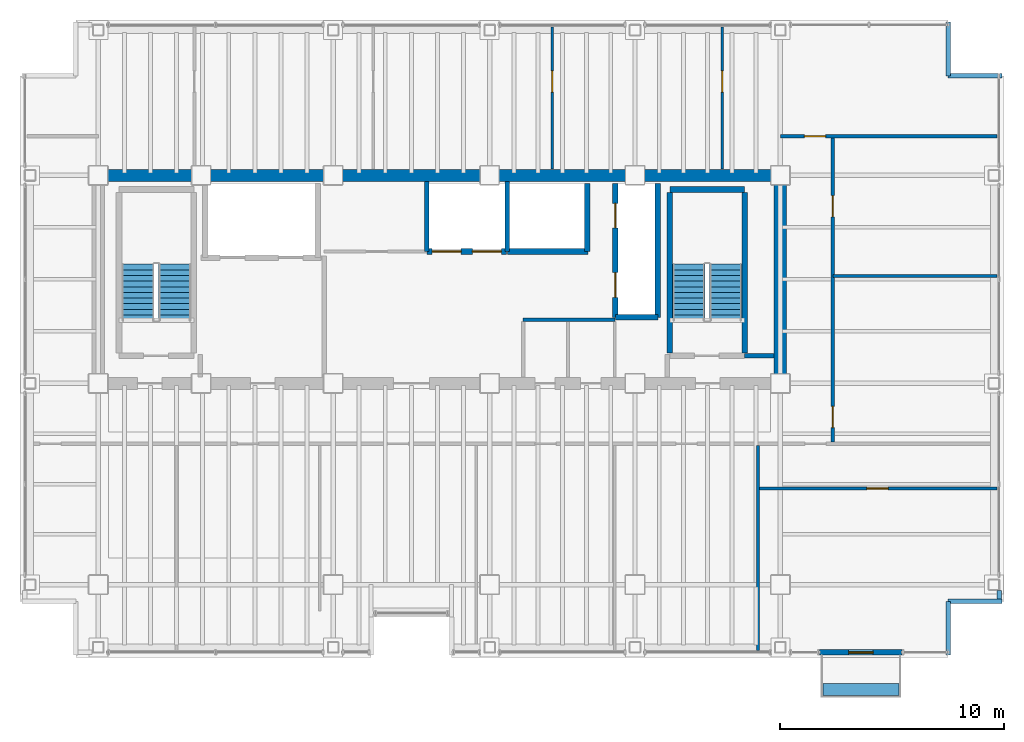
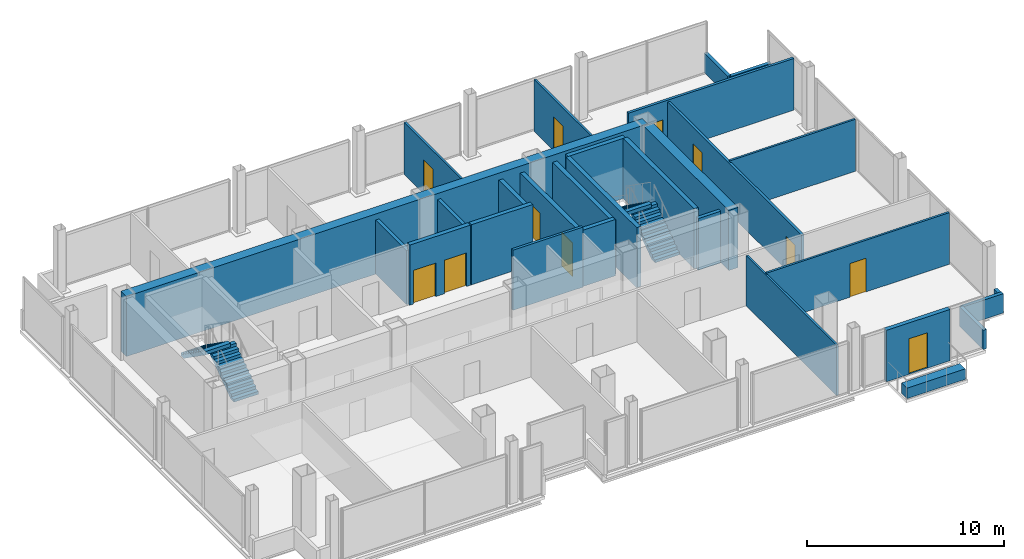
# One storey, part 14 of 16: 28 walls, 11 doors, 4 stair flights, 1 discrete accessory, 11 openings, 2 elements without a shape of their own.
"""IFC4 building model written with IfcOpenShell, lengths in metres."""

from ifc_helpers import new_model, si_unit, direction, frame, frame_2d, origin, origin_2d, place, context, subcontext, project, spatial, polyline, rectangle, outline, extrude, material, layer, layer_set, type_object, element, fill, aggregate, save


model = new_model("IFC4")

# Units and contexts
model_context = context("Model", 3, precision=1e-05, world=origin(), true_north=direction((0.0, 1.0)))
body_context = subcontext(model_context, "Body", "Model", "MODEL_VIEW")
ifc_project = project(units=[si_unit("LENGTHUNIT", "METRE"), si_unit("AREAUNIT", "SQUARE_METRE"), si_unit("VOLUMEUNIT", "CUBIC_METRE"), si_unit("PLANEANGLEUNIT", "RADIAN"), si_unit("MASSUNIT", "GRAM", prefix="KILO")], contexts=[model_context])

# Site, building, storey
site_placement = place(None, origin())
site = spatial("IfcSite", under=ifc_project, at=site_placement, CompositionType="ELEMENT")
building_placement = place(site_placement, origin())
building = spatial("IfcBuilding", under=site, at=building_placement, Name="Noeulbin Bourse Tower", CompositionType="ELEMENT")
storey_placement = place(building_placement, frame((0.0, 0.0, 177.300048828125)))
storey = spatial("IfcBuildingStorey", under=building, at=storey_placement, Name="L44", CompositionType="ELEMENT", Elevation=177.300048828125)

# Walls
ifc_material_1 = material(Name="Concrete C60/75", Category="concrete")
ifc_layer_1 = layer(ifc_material_1, 0.550048828125)
ifc_layer_set_1 = layer_set([ifc_layer_1], Name="Concrete C60/75")
wall_type_1 = type_object("IfcWallType", Name="WAL-CORE-550", PredefinedType="SHEAR", material=ifc_layer_set_1)
wall_1_placement = place(storey_placement, frame((13.5, 38.300048828125, 0.0), z_axis=(0.0, 0.0, 1.0), x_axis=(1.0, 0.0, 0.0)))
element("IfcWall", 1, at=wall_1_placement, inside=storey, type_object=wall_type_1, Name="Rear Core North Shear Wall L44", PredefinedType="SHEAR", context=body_context, shape_type="SweptSolid", body=[
    extrude(rectangle(XDim=30.5, YDim=0.550048828125, at=frame_2d((15.25, 0.0))), origin(), (0.0, 0.0, 1.0), 3.719970703125),
])
wall_2_placement = place(storey_placement, frame((44.0, 29.35009765625, 0.0), z_axis=(0.0, 0.0, 1.0), x_axis=(0.0, 1.0, 0.0)))
element("IfcWall", 2, at=wall_2_placement, inside=storey, type_object=wall_type_1, Name="Rear Core East Shear Wall L44", PredefinedType="SHEAR", context=body_context, shape_type="SweptSolid", body=[
    extrude(rectangle(XDim=8.599853515625, YDim=0.550048828125, at=frame_2d((4.2998046875, 0.0))), origin(), (0.0, 0.0, 1.0), 3.719970703125),
])

# Wall, opening, door
ifc_material_2 = material(Name="Precast Concrete C40/50", Category="concrete")
ifc_layer_2 = layer(ifc_material_2, 0.25)
ifc_layer_set_2 = layer_set([ifc_layer_2], Name="Precast Concrete C40/50")
wall_type_2 = type_object("IfcWallType", Name="WAL-EXT-250", PredefinedType="STANDARD", material=ifc_layer_set_2)
wall_3_placement = place(storey_placement, frame((45.75, 16.969970703125, 0.0), z_axis=(0.0, 0.0, 1.0), x_axis=(1.0, 0.0, 0.0)))
wall_3 = element("IfcWall", 3, at=wall_3_placement, inside=storey, type_object=wall_type_2, Name="Balcony Threshold Wall L44", PredefinedType="STANDARD", context=body_context, shape_type="SweptSolid", body=[
    extrude(rectangle(XDim=3.699951171875, YDim=0.25, at=frame_2d((1.85009765625, 0.0))), origin(), (0.0, 0.0, 1.0), 3.179931640625),
])
opening_1_placement = place(wall_3_placement, frame((1.300048828125, 0.0, 0.0)))
opening_1 = element("IfcOpeningElement", 4, at=opening_1_placement, cuts=wall_3, Name="Opening BD-11", PredefinedType="OPENING", context=body_context, shape_type="SweptSolid", body=[
    extrude(rectangle(XDim=1.10009765625, YDim=2.199951171875, at=frame_2d((0.550048828125, 1.10009765625))), frame((0.0, 0.135009765625, 0.0), z_axis=(0.0, -1.0, 0.0), x_axis=(1.0, 0.0, 0.0)), (0.0, 0.0, 1.0), 0.27001953125),
])
ifc_material_3 = material(Name="Thermally Broken Aluminium Framed Glass", Category="aluminium")
door_type_1 = type_object("IfcDoorType", Name="DR-BAL-1100", OperationType="SINGLE_SWING_LEFT", PredefinedType="DOOR", material=ifc_material_3)
door_1_placement = place(opening_1_placement, origin())
door_1 = element("IfcDoor", 5, at=door_1_placement, inside=storey, type_object=door_type_1, Name="Tree-Balcony Access Door BD-L44", OperationType="SINGLE_SWING_RIGHT", OverallHeight=2.199951171875, OverallWidth=1.10009765625, PredefinedType="DOOR", context=body_context, shape_type="SweptSolid", body=[
    extrude(rectangle(XDim=1.10009765625, YDim=2.199951171875, at=frame_2d((0.550048828125, 1.10009765625))), frame((0.0, 0.02490234375, 0.0), z_axis=(0.0, -1.0, 0.0), x_axis=(1.0, 0.0, 0.0)), (0.0, 0.0, 1.0), 0.050048828125),
])
fill(opening_1, door_1)

# Walls
ifc_material_4 = material(Name="Concrete C40/50", Category="concrete")
ifc_layer_3 = layer(ifc_material_4, 0.199951171875)
ifc_layer_set_3 = layer_set([ifc_layer_3], Name="Concrete C40/50")
wall_type_3 = type_object("IfcWallType", Name="WAL-FIRE-200", PredefinedType="STANDARD", material=ifc_layer_set_3)
wall_4_placement = place(storey_placement, frame((42.39990234375, 30.239990234375, 0.0), z_axis=(0.0, 0.0, 1.0), x_axis=(1.0, 0.0, 0.0)))
element("IfcWall", 6, at=wall_4_placement, inside=storey, type_object=wall_type_3, Name="Interior Partition Wall L44-01", PredefinedType="STANDARD", context=body_context, shape_type="SweptSolid", body=[
    extrude(rectangle(XDim=1.315185546875, YDim=0.199951171875, at=frame_2d((0.65771484375, 0.0))), origin(), (0.0, 0.0, 1.0), 3.199951171875),
])
ifc_layer_4 = layer(ifc_material_4, 0.199951171875)
ifc_layer_set_4 = layer_set([ifc_layer_4], Name="Concrete C40/50")
wall_type_4 = type_object("IfcWallType", Name="WAL-PAR-200", PredefinedType="PARAPET", material=ifc_layer_set_4)
wall_5_placement = place(storey_placement, frame((53.780029296875, 19.35009765625, 0.0), z_axis=(0.0, 0.0, 1.0), x_axis=(0.0, 1.0, 0.0)))
element("IfcWall", 7, at=wall_5_placement, inside=storey, type_object=wall_type_4, Name="Perimeter Pier Spandrel Parapet L44-E3", PredefinedType="PARAPET", context=body_context, shape_type="SweptSolid", body=[
    extrude(rectangle(XDim=0.3798828125, YDim=0.199951171875, at=frame_2d((0.18994140625, 0.0))), origin(), (0.0, 0.0, 1.0), 1.199951171875),
])
for number, where, z_axis, x_axis, name in (
    (8, (51.5, 16.85009765625, 0.0), (0.0, 0.0, 1.0), (0.0, 1.0, 0.0), "Corner Notch Parapet L44-SE1"),
    (9, (51.5, 19.25, 0.0), (0.0, 0.0, 1.0), (1.0, 0.0, 0.0), "Corner Notch Parapet L44-SE2"),
    (10, (51.5, 45.14990234375, 0.0), (0.0, 0.0, 1.0), (0.0, -1.0, 0.0), "Corner Notch Parapet L44-NE1"),
    (11, (51.5, 42.75, 0.0), (0.0, 0.0, 1.0), (1.0, 0.0, 0.0), "Corner Notch Parapet L44-NE2"),
):
    element("IfcWall", number, at=place(storey_placement, frame(where, z_axis=z_axis, x_axis=x_axis)), inside=storey, type_object=wall_type_4, Name=name, PredefinedType="PARAPET", context=body_context, shape_type="SweptSolid", body=[
        extrude(rectangle(XDim=2.39990234375, YDim=0.199951171875, at=frame_2d((1.199951171875, 0.0))), origin(), (0.0, 0.0, 1.0), 1.199951171875),
    ])

# Wall, opening, door
ifc_material_5 = material(Name="Steel Stud Gypsum Partition", Category="steel")
ifc_layer_5 = layer(ifc_material_5, 0.1201171875)
ifc_layer_set_5 = layer_set([ifc_layer_5], Name="Steel Stud Gypsum Partition")
wall_type_5 = type_object("IfcWallType", Name="WAL-PRT-120", PredefinedType="PARTITIONING", material=ifc_layer_set_5)
wall_6_placement = place(storey_placement, frame((43.0, 24.300048828125, 0.0), z_axis=(0.0, 0.0, 1.0), x_axis=(1.0, 0.0, 0.0)))
wall_6 = element("IfcWall", 12, at=wall_6_placement, inside=storey, type_object=wall_type_5, Name="Interior Partition Wall L44-05", PredefinedType="PARTITIONING", context=body_context, shape_type="SweptSolid", body=[
    extrude(rectangle(XDim=10.68994140625, YDim=0.1201171875, at=frame_2d((5.344970703125, 0.0))), origin(), (0.0, 0.0, 1.0), 3.199951171875),
])
opening_2_placement = place(wall_6_placement, frame((4.8701171875, 0.0, 0.0)))
opening_2 = element("IfcOpeningElement", 13, at=opening_2_placement, cuts=wall_6, Name="Opening ID-09", PredefinedType="OPENING", context=body_context, shape_type="SweptSolid", body=[
    extrude(rectangle(XDim=0.949951171875, YDim=2.080078125, at=frame_2d((0.47509765625, 1.0400390625))), frame((0.0, 0.070068359375, 0.0), z_axis=(0.0, -1.0, 0.0), x_axis=(1.0, 0.0, 0.0)), (0.0, 0.0, 1.0), 0.14013671875),
])
ifc_material_6 = material(Name="Acoustic Solid-Core Timber", Category="wood")
door_type_2 = type_object("IfcDoorType", Name="DR-SINGLE-950", OperationType="SINGLE_SWING_LEFT", PredefinedType="DOOR", material=ifc_material_6)
door_2_placement = place(opening_2_placement, origin())
door_2 = element("IfcDoor", 14, at=door_2_placement, inside=storey, type_object=door_type_2, Name="Interior Door L44-13", OperationType="SINGLE_SWING_RIGHT", OverallHeight=2.080078125, OverallWidth=0.949951171875, PredefinedType="DOOR", context=body_context, shape_type="SweptSolid", body=[
    extrude(rectangle(XDim=0.949951171875, YDim=2.080078125, at=frame_2d((0.47509765625, 1.0400390625))), frame((0.0, 0.02490234375, 0.0), z_axis=(0.0, -1.0, 0.0), x_axis=(1.0, 0.0, 0.0)), (0.0, 0.0, 1.0), 0.050048828125),
])
fill(opening_2, door_2)

# Walls
wall_7_placement = place(storey_placement, frame((46.35009765625, 33.800048828125, 0.0), z_axis=(0.0, 0.0, 1.0), x_axis=(1.0, 0.0, 0.0)))
element("IfcWall", 15, at=wall_7_placement, inside=storey, type_object=wall_type_5, Name="Interior Partition Wall L44-06", PredefinedType="PARTITIONING", context=body_context, shape_type="SweptSolid", body=[
    extrude(rectangle(XDim=7.33984375, YDim=0.1201171875, at=frame_2d((3.669921875, 0.0))), origin(), (0.0, 0.0, 1.0), 3.2119140625),
])
wall_8_placement = place(storey_placement, frame((43.0, 17.06005859375, 0.0), z_axis=(0.0, 0.0, 1.0), x_axis=(0.0, 1.0, 0.0)))
element("IfcWall", 16, at=wall_8_placement, inside=storey, type_object=wall_type_5, Name="Interior Partition Wall L44-20", PredefinedType="PARTITIONING", context=body_context, shape_type="SweptSolid", body=[
    extrude(rectangle(XDim=9.155029296875, YDim=0.1201171875, at=frame_2d((4.57763671875, 0.0))), origin(), (0.0, 0.0, 1.0), 3.099853515625),
])

# Wall, opening, door
wall_9_placement = place(storey_placement, frame((33.800048828125, 38.5849609375, 0.0), z_axis=(0.0, 0.0, 1.0), x_axis=(0.0, 1.0, 0.0)))
wall_9 = element("IfcWall", 17, at=wall_9_placement, inside=storey, type_object=wall_type_5, Name="Interior Partition Wall L44-23", PredefinedType="PARTITIONING", context=body_context, shape_type="SweptSolid", body=[
    extrude(rectangle(XDim=6.35498046875, YDim=0.1201171875, at=frame_2d((3.177490234375, 0.0))), origin(), (0.0, 0.0, 1.0), 3.2119140625),
])
opening_3_placement = place(wall_9_placement, frame((3.43505859375, 0.0, 0.0)))
opening_3 = element("IfcOpeningElement", 18, at=opening_3_placement, cuts=wall_9, Name="Opening ID-09", PredefinedType="OPENING", context=body_context, shape_type="SweptSolid", body=[
    extrude(rectangle(XDim=0.949951171875, YDim=2.080078125, at=frame_2d((0.47509765625, 1.0400390625))), frame((0.0, 0.070068359375, 0.0), z_axis=(0.0, -1.0, 0.0), x_axis=(1.0, 0.0, 0.0)), (0.0, 0.0, 1.0), 0.14013671875),
])
door_3_placement = place(opening_3_placement, origin())
door_3 = element("IfcDoor", 19, at=door_3_placement, inside=storey, type_object=door_type_2, Name="Interior Door L44-20", OperationType="SINGLE_SWING_LEFT", OverallHeight=2.080078125, OverallWidth=0.949951171875, PredefinedType="DOOR", context=body_context, shape_type="SweptSolid", body=[
    extrude(rectangle(XDim=0.949951171875, YDim=2.080078125, at=frame_2d((0.47509765625, 1.0400390625))), frame((0.0, 0.02490234375, 0.0), z_axis=(0.0, -1.0, 0.0), x_axis=(1.0, 0.0, 0.0)), (0.0, 0.0, 1.0), 0.050048828125),
])
fill(opening_3, door_3)

wall_10_placement = place(storey_placement, frame((41.39990234375, 38.5849609375, 0.0), z_axis=(0.0, 0.0, 1.0), x_axis=(0.0, 1.0, 0.0)))
wall_10 = element("IfcWall", 20, at=wall_10_placement, inside=storey, type_object=wall_type_5, Name="Interior Partition Wall L44-24", PredefinedType="PARTITIONING", context=body_context, shape_type="SweptSolid", body=[
    extrude(rectangle(XDim=6.35498046875, YDim=0.1201171875, at=frame_2d((3.177490234375, 0.0))), origin(), (0.0, 0.0, 1.0), 3.2119140625),
])
opening_4_placement = place(wall_10_placement, frame((3.43505859375, 0.0, 0.0)))
opening_4 = element("IfcOpeningElement", 21, at=opening_4_placement, cuts=wall_10, Name="Opening ID-09", PredefinedType="OPENING", context=body_context, shape_type="SweptSolid", body=[
    extrude(rectangle(XDim=0.949951171875, YDim=2.080078125, at=frame_2d((0.47509765625, 1.0400390625))), frame((0.0, 0.070068359375, 0.0), z_axis=(0.0, -1.0, 0.0), x_axis=(1.0, 0.0, 0.0)), (0.0, 0.0, 1.0), 0.14013671875),
])
door_4_placement = place(opening_4_placement, origin())
door_4 = element("IfcDoor", 22, at=door_4_placement, inside=storey, type_object=door_type_2, Name="Interior Door L44-21", OperationType="SINGLE_SWING_RIGHT", OverallHeight=2.080078125, OverallWidth=0.949951171875, PredefinedType="DOOR", context=body_context, shape_type="SweptSolid", body=[
    extrude(rectangle(XDim=0.949951171875, YDim=2.080078125, at=frame_2d((0.47509765625, 1.0400390625))), frame((0.0, 0.02490234375, 0.0), z_axis=(0.0, -1.0, 0.0), x_axis=(1.0, 0.0, 0.0)), (0.0, 0.0, 1.0), 0.050048828125),
])
fill(opening_4, door_4)

# Wall
ifc_material_7 = material(Name="Steel Stud Acoustic Gypsum Board", Category="steel")
ifc_layer_6 = layer(ifc_material_7, 0.14990234375)
ifc_layer_set_6 = layer_set([ifc_layer_6], Name="Steel Stud Acoustic Gypsum Board")
wall_type_6 = type_object("IfcWallType", Name="WAL-PRT-150", PredefinedType="PARTITIONING", material=ifc_layer_set_6)
wall_11_placement = place(storey_placement, frame((32.5, 31.85009765625, 0.0), z_axis=(0.0, 0.0, 1.0), x_axis=(1.0, 0.0, 0.0)))
element("IfcWall", 23, at=wall_11_placement, inside=storey, type_object=wall_type_6, Name="Interior Partition Wall L44-03", PredefinedType="PARTITIONING", context=body_context, shape_type="SweptSolid", body=[
    extrude(rectangle(XDim=4.10009765625, YDim=0.14990234375, at=frame_2d((2.050048828125, 0.0))), origin(), (0.0, 0.0, 1.0), 3.719970703125),
])

# Wall, opening, door
wall_12_placement = place(storey_placement, frame((44.0, 40.050048828125, 0.0), z_axis=(0.0, 0.0, 1.0), x_axis=(1.0, 0.0, 0.0)))
wall_12 = element("IfcWall", 24, at=wall_12_placement, inside=storey, type_object=wall_type_6, Name="Interior Partition Wall L44-08", PredefinedType="PARTITIONING", context=body_context, shape_type="SweptSolid", body=[
    extrude(rectangle(XDim=9.68994140625, YDim=0.14990234375, at=frame_2d((4.844970703125, 0.0))), origin(), (0.0, 0.0, 1.0), 3.199951171875),
])
opening_5_placement = place(wall_12_placement, frame((1.074951171875, 0.0, 0.0)))
opening_5 = element("IfcOpeningElement", 25, at=opening_5_placement, cuts=wall_12, Name="Opening ID-09", PredefinedType="OPENING", context=body_context, shape_type="SweptSolid", body=[
    extrude(rectangle(XDim=0.949951171875, YDim=2.080078125, at=frame_2d((0.47509765625, 1.0400390625))), frame((0.0, 0.0849609375, 0.0), z_axis=(0.0, -1.0, 0.0), x_axis=(1.0, 0.0, 0.0)), (0.0, 0.0, 1.0), 0.169921875),
])
door_5_placement = place(opening_5_placement, origin())
door_5 = element("IfcDoor", 26, at=door_5_placement, inside=storey, type_object=door_type_2, Name="Interior Door L44-17", OperationType="SINGLE_SWING_RIGHT", OverallHeight=2.080078125, OverallWidth=0.949951171875, PredefinedType="DOOR", context=body_context, shape_type="SweptSolid", body=[
    extrude(rectangle(XDim=0.949951171875, YDim=2.080078125, at=frame_2d((0.47509765625, 1.0400390625))), frame((0.0, 0.02490234375, 0.0), z_axis=(0.0, -1.0, 0.0), x_axis=(1.0, 0.0, 0.0)), (0.0, 0.0, 1.0), 0.050048828125),
])
fill(opening_5, door_5)

# Wall, openings, doors
wall_13_placement = place(storey_placement, frame((46.35009765625, 26.385009765625, 0.0), z_axis=(0.0, 0.0, 1.0), x_axis=(0.0, 1.0, 0.0)))
wall_13 = element("IfcWall", 27, at=wall_13_placement, inside=storey, type_object=wall_type_6, Name="Interior Partition Wall L44-15", PredefinedType="PARTITIONING", context=body_context, shape_type="SweptSolid", body=[
    extrude(rectangle(XDim=13.580078125, YDim=0.14990234375, at=frame_2d((6.7900390625, 0.0))), origin(), (0.0, 0.0, 1.0), 3.099853515625),
])
opening_6_placement = place(wall_13_placement, frame((0.639892578125, 0.0, 0.0)))
opening_6 = element("IfcOpeningElement", 28, at=opening_6_placement, cuts=wall_13, Name="Opening ID-09", PredefinedType="OPENING", context=body_context, shape_type="SweptSolid", body=[
    extrude(rectangle(XDim=0.949951171875, YDim=2.080078125, at=frame_2d((0.47509765625, 1.0400390625))), frame((0.0, 0.0849609375, 0.0), z_axis=(0.0, -1.0, 0.0), x_axis=(1.0, 0.0, 0.0)), (0.0, 0.0, 1.0), 0.169921875),
])
opening_7_placement = place(wall_13_placement, frame((10.06494140625, 0.0, 0.0)))
opening_7 = element("IfcOpeningElement", 29, at=opening_7_placement, cuts=wall_13, Name="Opening ID-09", PredefinedType="OPENING", context=body_context, shape_type="SweptSolid", body=[
    extrude(rectangle(XDim=0.949951171875, YDim=2.080078125, at=frame_2d((0.47509765625, 1.0400390625))), frame((0.0, 0.0849609375, 0.0), z_axis=(0.0, -1.0, 0.0), x_axis=(1.0, 0.0, 0.0)), (0.0, 0.0, 1.0), 0.169921875),
])
door_6_placement = place(opening_6_placement, origin())
door_6 = element("IfcDoor", 30, at=door_6_placement, inside=storey, type_object=door_type_2, Name="Interior Door L44-15", OperationType="SINGLE_SWING_RIGHT", OverallHeight=2.080078125, OverallWidth=0.949951171875, PredefinedType="DOOR", context=body_context, shape_type="SweptSolid", body=[
    extrude(rectangle(XDim=0.949951171875, YDim=2.080078125, at=frame_2d((0.47509765625, 1.0400390625))), frame((0.0, 0.02490234375, 0.0), z_axis=(0.0, -1.0, 0.0), x_axis=(1.0, 0.0, 0.0)), (0.0, 0.0, 1.0), 0.050048828125),
])
fill(opening_6, door_6)
door_7_placement = place(opening_7_placement, origin())
door_7 = element("IfcDoor", 31, at=door_7_placement, inside=storey, type_object=door_type_2, Name="Interior Door L44-16", OperationType="SINGLE_SWING_LEFT", OverallHeight=2.080078125, OverallWidth=0.949951171875, PredefinedType="DOOR", context=body_context, shape_type="SweptSolid", body=[
    extrude(rectangle(XDim=0.949951171875, YDim=2.080078125, at=frame_2d((0.47509765625, 1.0400390625))), frame((0.0, 0.02490234375, 0.0), z_axis=(0.0, -1.0, 0.0), x_axis=(1.0, 0.0, 0.0)), (0.0, 0.0, 1.0), 0.050048828125),
])
fill(opening_7, door_7)

# Walls
ifc_layer_7 = layer(ifc_material_4, 0.25)
ifc_layer_set_7 = layer_set([ifc_layer_7], Name="Concrete C40/50")
wall_type_7 = type_object("IfcWallType", Name="WAL-SHFT-250", PredefinedType="STANDARD", material=ifc_layer_set_7)
wall_14_placement = place(storey_placement, frame((39.06005859375, 37.6689453125, 0.0), z_axis=(0.0, 0.0, 1.0), x_axis=(1.0, 0.0, 0.0)))
element("IfcWall", 32, at=wall_14_placement, inside=storey, type_object=wall_type_7, Name="Stair ST-2 North Shaft Wall L44", PredefinedType="STANDARD", context=body_context, shape_type="SweptSolid", body=[
    extrude(rectangle(XDim=3.33984375, YDim=0.25, at=frame_2d((1.669921875, 0.0))), origin(), (0.0, 0.0, 1.0), 3.719970703125),
])
for number, where, z_axis, x_axis, name in (
    (33, (39.054931640625, 30.360107421875, 0.0), (0.0, 0.0, 1.0), (0.0, 1.0, 0.0), "Stair ST-2 West Shaft Wall L44"),
    (34, (42.405029296875, 30.360107421875, 0.0), (0.0, 0.0, 1.0), (0.0, 1.0, 0.0), "Stair ST-2 East Shaft Wall L44"),
):
    element("IfcWall", number, at=place(storey_placement, frame(where, z_axis=z_axis, x_axis=x_axis)), inside=storey, type_object=wall_type_7, Name=name, PredefinedType="STANDARD", context=body_context, shape_type="SweptSolid", body=[
        extrude(rectangle(XDim=7.183837890625, YDim=0.25, at=frame_2d((3.591796875, 0.0))), origin(), (0.0, 0.0, 1.0), 3.719970703125),
    ])

# Wall, openings, doors
wall_15_placement = place(storey_placement, frame((36.6201171875, 31.949951171875, 0.0), z_axis=(0.0, 0.0, 1.0), x_axis=(0.0, 1.0, 0.0)))
wall_15 = element("IfcWall", 35, at=wall_15_placement, inside=storey, type_object=wall_type_7, Name="Service Lift Shaft Wall L44", PredefinedType="STANDARD", context=body_context, shape_type="SweptSolid", body=[
    extrude(rectangle(XDim=6.0, YDim=0.25, at=frame_2d((3.0, 0.0))), origin(), (0.0, 0.0, 1.0), 3.349853515625),
])
opening_8_placement = place(wall_15_placement, frame((0.89990234375, 0.0, 0.0)))
opening_8 = element("IfcOpeningElement", 36, at=opening_8_placement, cuts=wall_15, Name="Opening LD-11", PredefinedType="OPENING", context=body_context, shape_type="SweptSolid", body=[
    extrude(rectangle(XDim=1.10009765625, YDim=2.080078125, at=frame_2d((0.550048828125, 1.0400390625))), frame((0.0, 0.135009765625, 0.0), z_axis=(0.0, -1.0, 0.0), x_axis=(1.0, 0.0, 0.0)), (0.0, 0.0, 1.0), 0.27001953125),
])
opening_9_placement = place(wall_15_placement, frame((4.0, 0.0, 0.0)))
opening_9 = element("IfcOpeningElement", 37, at=opening_9_placement, cuts=wall_15, Name="Opening LD-11", PredefinedType="OPENING", context=body_context, shape_type="SweptSolid", body=[
    extrude(rectangle(XDim=1.10009765625, YDim=2.080078125, at=frame_2d((0.550048828125, 1.0400390625))), frame((0.0, 0.135009765625, 0.0), z_axis=(0.0, -1.0, 0.0), x_axis=(1.0, 0.0, 0.0)), (0.0, 0.0, 1.0), 0.27001953125),
])
ifc_material_8 = material(Name="Brushed Stainless Steel 316", Category="steel")
door_type_3 = type_object("IfcDoorType", Name="DR-LIFT-1100", OperationType="SLIDING_TO_LEFT", PredefinedType="DOOR", material=ifc_material_8)
door_8_placement = place(opening_8_placement, origin())
door_8 = element("IfcDoor", 38, at=door_8_placement, inside=storey, type_object=door_type_3, Name="Lift Landing Door LD-EL-01-L44", OperationType="SLIDING_TO_LEFT", OverallHeight=2.080078125, OverallWidth=1.10009765625, PredefinedType="DOOR", context=body_context, shape_type="SweptSolid", body=[
    extrude(rectangle(XDim=1.10009765625, YDim=2.080078125, at=frame_2d((0.550048828125, 1.0400390625))), frame((0.0, 0.02490234375, 0.0), z_axis=(0.0, -1.0, 0.0), x_axis=(1.0, 0.0, 0.0)), (0.0, 0.0, 1.0), 0.050048828125),
])
fill(opening_8, door_8)
door_9_placement = place(opening_9_placement, origin())
door_9 = element("IfcDoor", 39, at=door_9_placement, inside=storey, type_object=door_type_3, Name="Lift Landing Door LD-SV-01-L44", OperationType="SLIDING_TO_LEFT", OverallHeight=2.080078125, OverallWidth=1.10009765625, PredefinedType="DOOR", context=body_context, shape_type="SweptSolid", body=[
    extrude(rectangle(XDim=1.10009765625, YDim=2.080078125, at=frame_2d((0.550048828125, 1.0400390625))), frame((0.0, 0.02490234375, 0.0), z_axis=(0.0, -1.0, 0.0), x_axis=(1.0, 0.0, 0.0)), (0.0, 0.0, 1.0), 0.050048828125),
])
fill(opening_9, door_9)

# Walls
wall_16_placement = place(storey_placement, frame((38.52001953125, 31.949951171875, 0.0), z_axis=(0.0, 0.0, 1.0), x_axis=(0.0, 1.0, 0.0)))
element("IfcWall", 40, at=wall_16_placement, inside=storey, type_object=wall_type_7, Name="Service Lift East Shaft Wall L44", PredefinedType="STANDARD", context=body_context, shape_type="SweptSolid", body=[
    extrude(rectangle(XDim=6.0, YDim=0.25, at=frame_2d((3.0, 0.0))), origin(), (0.0, 0.0, 1.0), 3.349853515625),
])
wall_17_placement = place(storey_placement, frame((36.6201171875, 31.949951171875, 0.0), z_axis=(0.0, 0.0, 1.0), x_axis=(1.0, 0.0, 0.0)))
element("IfcWall", 41, at=wall_17_placement, inside=storey, type_object=wall_type_7, Name="Service Lift South Shaft Wall L44", PredefinedType="STANDARD", context=body_context, shape_type="SweptSolid", body=[
    extrude(rectangle(XDim=1.89990234375, YDim=0.25, at=frame_2d((0.949951171875, 0.0))), origin(), (0.0, 0.0, 1.0), 3.47998046875),
])
wall_18_placement = place(storey_placement, frame((35.360107421875, 34.89990234375, 0.0), z_axis=(0.0, 0.0, 1.0), x_axis=(0.0, 1.0, 0.0)))
element("IfcWall", 42, at=wall_18_placement, inside=storey, type_object=wall_type_7, Name="High-Rise Lift East Shaft Wall L44", PredefinedType="STANDARD", context=body_context, shape_type="SweptSolid", body=[
    extrude(rectangle(XDim=3.050048828125, YDim=0.25, at=frame_2d((1.52490234375, 0.0))), origin(), (0.0, 0.0, 1.0), 3.349853515625),
])

# Wall, openings, doors
wall_19_placement = place(storey_placement, frame((28.199951171875, 34.89990234375, 0.0), z_axis=(0.0, 0.0, 1.0), x_axis=(1.0, 0.0, 0.0)))
wall_19 = element("IfcWall", 43, at=wall_19_placement, inside=storey, type_object=wall_type_7, Name="Mid-Rise Lift Bank Front L44", PredefinedType="STANDARD", context=body_context, shape_type="SweptSolid", body=[
    extrude(rectangle(XDim=3.550048828125, YDim=0.25, at=frame_2d((1.77490234375, 0.0))), origin(), (0.0, 0.0, 1.0), 3.719970703125),
])
opening_10_placement = place(wall_19_placement, frame((0.22998046875, 0.0, 0.0)))
opening_10 = element("IfcOpeningElement", 44, at=opening_10_placement, cuts=wall_19, Name="Opening LD-13", PredefinedType="OPENING", context=body_context, shape_type="SweptSolid", body=[
    extrude(rectangle(XDim=1.300048828125, YDim=2.080078125, at=frame_2d((0.64990234375, 1.0400390625))), frame((0.0, 0.135009765625, 0.0), z_axis=(0.0, -1.0, 0.0), x_axis=(1.0, 0.0, 0.0)), (0.0, 0.0, 1.0), 0.27001953125),
])
opening_11_placement = place(wall_19_placement, frame((2.030029296875, 0.0, 0.0)))
opening_11 = element("IfcOpeningElement", 45, at=opening_11_placement, cuts=wall_19, Name="Opening LD-13", PredefinedType="OPENING", context=body_context, shape_type="SweptSolid", body=[
    extrude(rectangle(XDim=1.300048828125, YDim=2.080078125, at=frame_2d((0.64990234375, 1.0400390625))), frame((0.0, 0.135009765625, 0.0), z_axis=(0.0, -1.0, 0.0), x_axis=(1.0, 0.0, 0.0)), (0.0, 0.0, 1.0), 0.27001953125),
])
door_type_4 = type_object("IfcDoorType", Name="DR-LIFT-1300", OperationType="DOUBLE_DOOR_SLIDING", PredefinedType="DOOR", material=ifc_material_8)
door_10_placement = place(opening_10_placement, origin())
door_10 = element("IfcDoor", 46, at=door_10_placement, inside=storey, type_object=door_type_4, Name="Lift Landing Door LD-PL-M1-L44", OperationType="DOUBLE_DOOR_SLIDING", OverallHeight=2.080078125, OverallWidth=1.300048828125, PredefinedType="DOOR", context=body_context, shape_type="SweptSolid", body=[
    extrude(rectangle(XDim=1.300048828125, YDim=2.080078125, at=frame_2d((0.64990234375, 1.0400390625))), frame((0.0, 0.02490234375, 0.0), z_axis=(0.0, -1.0, 0.0), x_axis=(1.0, 0.0, 0.0)), (0.0, 0.0, 1.0), 0.050048828125),
])
fill(opening_10, door_10)
door_11_placement = place(opening_11_placement, origin())
door_11 = element("IfcDoor", 47, at=door_11_placement, inside=storey, type_object=door_type_4, Name="Lift Landing Door LD-PL-M2-L44", OperationType="DOUBLE_DOOR_SLIDING", OverallHeight=2.080078125, OverallWidth=1.300048828125, PredefinedType="DOOR", context=body_context, shape_type="SweptSolid", body=[
    extrude(rectangle(XDim=1.300048828125, YDim=2.080078125, at=frame_2d((0.64990234375, 1.0400390625))), frame((0.0, 0.02490234375, 0.0), z_axis=(0.0, -1.0, 0.0), x_axis=(1.0, 0.0, 0.0)), (0.0, 0.0, 1.0), 0.050048828125),
])
fill(opening_11, door_11)

# Walls
wall_20_placement = place(storey_placement, frame((31.800048828125, 34.89990234375, 0.0), z_axis=(0.0, 0.0, 1.0), x_axis=(1.0, 0.0, 0.0)))
element("IfcWall", 48, at=wall_20_placement, inside=storey, type_object=wall_type_7, Name="High-Rise Lift Bank Front L44", PredefinedType="STANDARD", context=body_context, shape_type="SweptSolid", body=[
    extrude(rectangle(XDim=3.599853515625, YDim=0.25, at=frame_2d((1.7998046875, 0.0))), origin(), (0.0, 0.0, 1.0), 3.719970703125),
])
for number, where, z_axis, x_axis, name in (
    (49, (28.179931640625, 34.89990234375, 0.0), (0.0, 0.0, 1.0), (0.0, 1.0, 0.0), "Hoistway Side Shaft Wall L44-PLMW"),
    (50, (31.780029296875, 34.89990234375, 0.0), (0.0, 0.0, 1.0), (0.0, 1.0, 0.0), "Hoistway Side Shaft Wall L44-PLHW"),
):
    element("IfcWall", number, at=place(storey_placement, frame(where, z_axis=z_axis, x_axis=x_axis)), inside=storey, type_object=wall_type_7, Name=name, PredefinedType="STANDARD", context=body_context, shape_type="SweptSolid", body=[
        extrude(rectangle(XDim=3.1201171875, YDim=0.199951171875, at=frame_2d((1.56005859375, 0.0))), origin(), (0.0, 0.0, 1.0), 3.349853515625),
    ])

# Stair, stair flights
stair_type = type_object("IfcStairType", Name="STR-CORE-1560", PredefinedType="HALF_TURN_STAIR", material=ifc_material_4)
stair_1_placement = place(storey_placement, origin())
stair_1 = element("IfcStair", 51, at=stair_1_placement, inside=storey, type_object=stair_type, Name="L44 ST-1", PredefinedType="HALF_TURN_STAIR")
stair_flight_type = type_object("IfcStairFlightType", Name="SFL-CORE-1560", PredefinedType="STRAIGHT", material=ifc_material_4)
stair_flight_1_placement = place(storey_placement, frame((16.925048828125, 31.81005859375, 0.0), z_axis=(0.0, 0.0, 1.0), x_axis=(0.0, 1.0, 0.0)))
stair_flight_1 = element("IfcStairFlight", 52, at=stair_flight_1_placement, type_object=stair_flight_type, Name="ST-1 flight 1", NumberOfRisers=11, NumberOfTreads=10, PredefinedType="STRAIGHT", RiserHeight=0.177272727, TreadLength=0.252, context=body_context, shape_type="SweptSolid", body=[
    extrude(outline(polyline([(0.0, 0.0), (0.0, 0.17724609375), (0.251953125, 0.17724609375), (0.251953125, 0.3544921875), (0.50390625, 0.3544921875), (0.50390625, 0.53173828125), (0.756103515625, 0.53173828125), (0.756103515625, 0.708984375), (1.008056640625, 0.708984375), (1.008056640625, 0.886474609375), (1.260009765625, 0.886474609375), (1.260009765625, 1.063720703125), (1.511962890625, 1.063720703125), (1.511962890625, 1.240966796875), (1.763916015625, 1.240966796875), (1.763916015625, 1.418212890625), (2.01611328125, 1.418212890625), (2.01611328125, 1.595458984375), (2.26806640625, 1.595458984375), (2.26806640625, 1.772705078125), (2.52001953125, 1.772705078125), (2.52001953125, 1.949951171875), (2.52001953125, 1.552734375), (0.312744140625, 0.0), (0.0, 0.0)])), frame((0.0, 0.72509765625, 0.0), z_axis=(0.0, -1.0, 0.0), x_axis=(1.0, 0.0, 0.0)), (0.0, 0.0, 1.0), 1.449951171875),
])
stair_flight_2_placement = place(storey_placement, frame((15.27490234375, 34.330078125, 1.949951171875), z_axis=(0.0, 0.0, 1.0), x_axis=(0.0, -1.0, 0.0)))
stair_flight_2 = element("IfcStairFlight", 53, at=stair_flight_2_placement, type_object=stair_flight_type, Name="ST-1 flight 2", NumberOfRisers=11, NumberOfTreads=10, PredefinedType="STRAIGHT", RiserHeight=0.177272727, TreadLength=0.252, context=body_context, shape_type="SweptSolid", body=[
    extrude(outline(polyline([(0.0, 0.0), (0.0, 0.17724609375), (0.251953125, 0.17724609375), (0.251953125, 0.3544921875), (0.50390625, 0.3544921875), (0.50390625, 0.53173828125), (0.756103515625, 0.53173828125), (0.756103515625, 0.708984375), (1.008056640625, 0.708984375), (1.008056640625, 0.886474609375), (1.260009765625, 0.886474609375), (1.260009765625, 1.063720703125), (1.511962890625, 1.063720703125), (1.511962890625, 1.240966796875), (1.763916015625, 1.240966796875), (1.763916015625, 1.418212890625), (2.01611328125, 1.418212890625), (2.01611328125, 1.595458984375), (2.26806640625, 1.595458984375), (2.26806640625, 1.772705078125), (2.52001953125, 1.772705078125), (2.52001953125, 1.949951171875), (2.52001953125, 1.552734375), (0.312744140625, 0.0), (0.0, 0.0)])), frame((0.0, 0.72509765625, 0.0), z_axis=(0.0, -1.0, 0.0), x_axis=(1.0, 0.0, 0.0)), (0.0, 0.0, 1.0), 1.449951171875),
])
aggregate(stair_1, [stair_flight_1, stair_flight_2])

stair_2_placement = place(storey_placement, origin())
stair_2 = element("IfcStair", 54, at=stair_2_placement, inside=storey, type_object=stair_type, Name="L44 ST-2", PredefinedType="HALF_TURN_STAIR")
stair_flight_3_placement = place(storey_placement, frame((41.554931640625, 31.81005859375, 0.0), z_axis=(0.0, 0.0, 1.0), x_axis=(0.0, 1.0, 0.0)))
stair_flight_3 = element("IfcStairFlight", 55, at=stair_flight_3_placement, type_object=stair_flight_type, Name="ST-2 flight 1", NumberOfRisers=11, NumberOfTreads=10, PredefinedType="STRAIGHT", RiserHeight=0.177272727, TreadLength=0.252, context=body_context, shape_type="SweptSolid", body=[
    extrude(outline(polyline([(0.0, 0.0), (0.0, 0.17724609375), (0.251953125, 0.17724609375), (0.251953125, 0.3544921875), (0.50390625, 0.3544921875), (0.50390625, 0.53173828125), (0.756103515625, 0.53173828125), (0.756103515625, 0.708984375), (1.008056640625, 0.708984375), (1.008056640625, 0.886474609375), (1.260009765625, 0.886474609375), (1.260009765625, 1.063720703125), (1.511962890625, 1.063720703125), (1.511962890625, 1.240966796875), (1.763916015625, 1.240966796875), (1.763916015625, 1.418212890625), (2.01611328125, 1.418212890625), (2.01611328125, 1.595458984375), (2.26806640625, 1.595458984375), (2.26806640625, 1.772705078125), (2.52001953125, 1.772705078125), (2.52001953125, 1.949951171875), (2.52001953125, 1.552734375), (0.312744140625, 0.0), (0.0, 0.0)])), frame((0.0, 0.72509765625, 0.0), z_axis=(0.0, -1.0, 0.0), x_axis=(1.0, 0.0, 0.0)), (0.0, 0.0, 1.0), 1.449951171875),
])
stair_flight_4_placement = place(storey_placement, frame((39.905029296875, 34.330078125, 1.949951171875), z_axis=(0.0, 0.0, 1.0), x_axis=(0.0, -1.0, 0.0)))
stair_flight_4 = element("IfcStairFlight", 56, at=stair_flight_4_placement, type_object=stair_flight_type, Name="ST-2 flight 2", NumberOfRisers=11, NumberOfTreads=10, PredefinedType="STRAIGHT", RiserHeight=0.177272727, TreadLength=0.252, context=body_context, shape_type="SweptSolid", body=[
    extrude(outline(polyline([(0.0, 0.0), (0.0, 0.17724609375), (0.251953125, 0.17724609375), (0.251953125, 0.3544921875), (0.50390625, 0.3544921875), (0.50390625, 0.53173828125), (0.756103515625, 0.53173828125), (0.756103515625, 0.708984375), (1.008056640625, 0.708984375), (1.008056640625, 0.886474609375), (1.260009765625, 0.886474609375), (1.260009765625, 1.063720703125), (1.511962890625, 1.063720703125), (1.511962890625, 1.240966796875), (1.763916015625, 1.240966796875), (1.763916015625, 1.418212890625), (2.01611328125, 1.418212890625), (2.01611328125, 1.595458984375), (2.26806640625, 1.595458984375), (2.26806640625, 1.772705078125), (2.52001953125, 1.772705078125), (2.52001953125, 1.949951171875), (2.52001953125, 1.552734375), (0.312744140625, 0.0), (0.0, 0.0)])), frame((0.0, 0.72509765625, 0.0), z_axis=(0.0, -1.0, 0.0), x_axis=(1.0, 0.0, 0.0)), (0.0, 0.0, 1.0), 1.449951171875),
])
aggregate(stair_2, [stair_flight_3, stair_flight_4])

# Discrete accessory
ifc_material_9 = material(Name="Architectural GFRC Concrete C40/50", Category="concrete")
ifc_layer_8 = layer(ifc_material_9, 0.64990234375)
ifc_layer_set_8 = layer_set([ifc_layer_8], Name="Architectural GFRC Concrete C40/50")
discrete_accessory_type = type_object("IfcDiscreteAccessoryType", Name="PLANTER-BOX-3600", PredefinedType="USERDEFINED", material=ifc_layer_set_8)
discrete_accessory_placement = place(storey_placement, frame((47.60009765625, 15.31005859375, 0.0), z_axis=(0.0, 0.0, 1.0), x_axis=(1.0, 0.0, 0.0)))
element("IfcDiscreteAccessory", 57, at=discrete_accessory_placement, inside=storey, type_object=discrete_accessory_type, Name="Integrated Balcony Tree Planter Box L44", ObjectType="PLANTER", PredefinedType="USERDEFINED", context=body_context, shape_type="SweptSolid", body=[
    extrude(rectangle(XDim=3.39990234375, YDim=0.550048828125, at=origin_2d()), origin(), (0.0, 0.0, 1.0), 0.64990234375),
])

save(model, "model.ifc")
